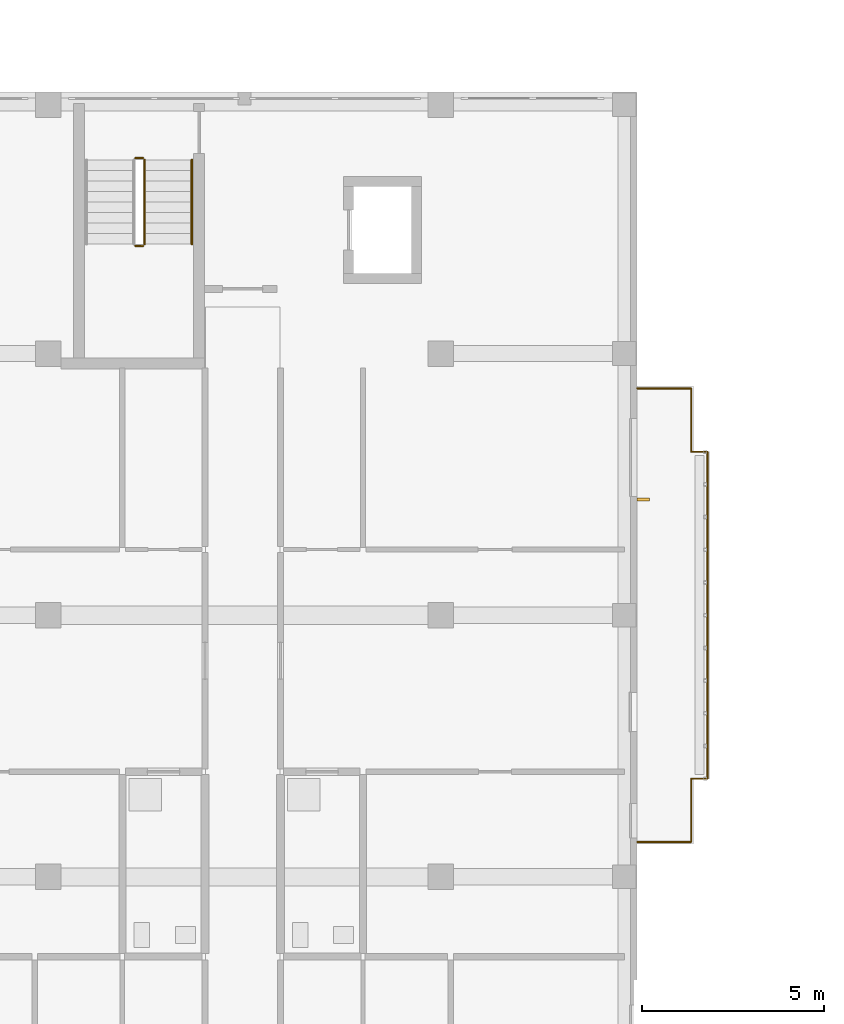
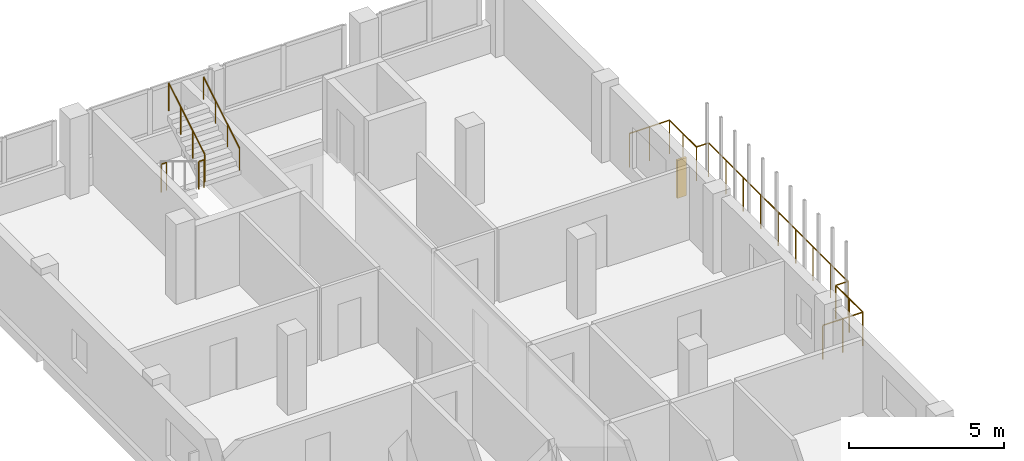
# One storey, part 41 of 51: 5 railings, 1 shading device.
"""IFC4 building model written with IfcOpenShell, lengths in metres."""

import ifcopenshell
import ifcopenshell.guid

model = None  # the IFC model being written
_history = None  # IfcOwnerHistory: only IFC2X3 demands one
_inside = {}  # id of a spatial element -> (the spatial element, [elements in it])
_under = {}  # id of a project, library or spatial element -> (it, [spatial elements below it])
_declared = {}  # id of a project -> (the project, [libraries it declares])
_typed = {}  # id of a type object -> (the type object, [elements of that type])
_made_of = {}  # id of a material, layer set ... -> (it, [elements and type objects made of it])


def new_model(schema):
    """Start an empty IFC model of exactly this schema.

    Asked for "IFC4X3", IfcOpenShell would pick the latest addendum, in which some entities
    have other attributes; the version numbers below select the first issue.
    IFC2X3 requires an IfcOwnerHistory on every rooted entity: one is made here for all.
    """
    global model, _history
    if schema == "IFC4X3":
        model = ifcopenshell.file(schema_version=(4, 3, 0, 0))
    else:
        model = ifcopenshell.file(schema=schema)
    _inside.clear()
    _under.clear()
    _declared.clear()
    _typed.clear()
    _made_of.clear()
    _history = None
    if model.schema == "IFC2X3":
        org = make("IfcOrganization", Name="unknown")
        user = make(
            "IfcPersonAndOrganization",
            ThePerson=make("IfcPerson", FamilyName="unknown"),
            TheOrganization=org,
        )
        app = make(
            "IfcApplication",
            ApplicationDeveloper=org,
            Version="unknown",
            ApplicationFullName="unknown",
            ApplicationIdentifier="unknown",
        )
        _history = make(
            "IfcOwnerHistory",
            OwningUser=user,
            OwningApplication=app,
            ChangeAction="ADDED",
            CreationDate=0,
        )
    return model


def make(cls, **values):
    """One entity of the class cls with the attributes given. An attribute that is None is left unset."""
    return model.create_entity(
        cls, **{name: value for name, value in values.items() if value is not None}
    )


def rooted(cls, **values):
    """An entity with a GlobalId (a new one), such as an element, a storey or a relation."""
    return make(cls, GlobalId=ifcopenshell.guid.new(), OwnerHistory=_history, **values)


def si_unit(unit_type, name, prefix=None):
    """IfcSIUnit, for example si_unit("LENGTHUNIT", "METRE", prefix="MILLI")."""
    return make("IfcSIUnit", UnitType=unit_type, Prefix=prefix, Name=name)


def derived_unit(unit_type, elements):
    """IfcDerivedUnit: a product of units, each with its exponent."""
    return make(
        "IfcDerivedUnit",
        Elements=[
            make("IfcDerivedUnitElement", Unit=unit, Exponent=power)
            for unit, power in elements
        ],
        UnitType=unit_type,
    )


def assignment(units):
    """IfcUnitAssignment: the units of a project."""
    return None if units is None else make("IfcUnitAssignment", Units=units)


def point(xyz):
    """IfcCartesianPoint."""
    return None if xyz is None else make("IfcCartesianPoint", Coordinates=xyz)


def direction(xyz):
    """IfcDirection."""
    return None if xyz is None else make("IfcDirection", DirectionRatios=xyz)


def frame(location, z_axis=None, x_axis=None):
    """IfcAxis2Placement3D, a coordinate frame: its origin and axes. An axis left out is left unset."""
    return make(
        "IfcAxis2Placement3D",
        Location=point(location),
        Axis=direction(z_axis),
        RefDirection=direction(x_axis),
    )


def frame_2d(location, x_axis=None):
    """IfcAxis2Placement2D, a coordinate frame in the plane: its origin and x axis."""
    return make(
        "IfcAxis2Placement2D", Location=point(location), RefDirection=direction(x_axis)
    )


def origin():
    """The frame at (0, 0, 0) with its axes left unset."""
    return frame((0.0, 0.0, 0.0))


def origin_2d():
    """The frame at (0, 0) in the plane with its x axis left unset."""
    return frame_2d((0.0, 0.0))


def place(relative_to, where):
    """IfcLocalPlacement: puts the frame where relative to a parent placement (None: the world)."""
    return make(
        "IfcLocalPlacement", PlacementRelTo=relative_to, RelativePlacement=where
    )


def context(
    kind, dimensions, precision=None, world=None, true_north=None, identifier=None
):
    """IfcGeometricRepresentationContext, for example the 3D "Model" context."""
    return make(
        "IfcGeometricRepresentationContext",
        ContextIdentifier=identifier,
        ContextType=kind,
        CoordinateSpaceDimension=dimensions,
        Precision=precision,
        WorldCoordinateSystem=world,
        TrueNorth=true_north,
    )


def subcontext(parent, identifier, kind, view, scale=None):
    """IfcGeometricRepresentationSubContext, for example "Body" below "Model"."""
    return make(
        "IfcGeometricRepresentationSubContext",
        ContextIdentifier=identifier,
        ContextType=kind,
        ParentContext=parent,
        TargetScale=scale,
        TargetView=view,
    )


def project(units=None, contexts=None):
    """IfcProject with its units and contexts."""
    return rooted(
        "IfcProject",
        Name="project",
        RepresentationContexts=contexts,
        UnitsInContext=assignment(units),
    )


def spatial(cls, under=None, at=None, **own):
    """A site, building, storey or space (cls), placed at a placement, below another one or the project."""
    s = rooted(cls, ObjectPlacement=at, **own)
    if under is not None:
        _under.setdefault(under.id(), (under, []))[1].append(s)
    return s


def profile(cls, at=None, kind="AREA", **sizes):
    """A parametric profile (cls). Its sizes go by their IFC names, for example OverallWidth=200.0."""
    return make(cls, ProfileType=kind, Position=at, **sizes)


def rectangle(**sizes):
    """IfcRectangleProfileDef."""
    return profile("IfcRectangleProfileDef", **sizes)


def circle(**sizes):
    """IfcCircleProfileDef."""
    return profile("IfcCircleProfileDef", **sizes)


def extrude(swept, where, along, depth):
    """IfcExtrudedAreaSolid: the profile swept, set in the frame where, extruded along a direction by depth."""
    return make(
        "IfcExtrudedAreaSolid",
        SweptArea=swept,
        Position=where,
        ExtrudedDirection=direction(along),
        Depth=depth,
    )


def shape(context_of_items, identifier, shape_type, items):
    """IfcShapeRepresentation: the items that make up one representation, for example the "Body"."""
    return make(
        "IfcShapeRepresentation",
        ContextOfItems=context_of_items,
        RepresentationIdentifier=identifier,
        RepresentationType=shape_type,
        Items=items,
    )


def material(Name=None, Category=None):
    """IfcMaterial."""
    return make("IfcMaterial", Name=Name, Category=Category)


def made_of(thing, what):
    """Note that an element or type object is made of a material, layer set ...; save() writes the relation."""
    if what is not None:
        _made_of.setdefault(what.id(), (what, []))[1].append(thing)
    return thing


def type_object(cls, material=None, **own):
    """A type object (cls), such as IfcWallType, which elements share."""
    return made_of(rooted(cls, **own), material)


def element(
    cls,
    number,
    at=None,
    inside=None,
    cuts=None,
    type_object=None,
    material=None,
    context=None,
    identifier="Body",
    shape_type=None,
    held_by="IfcProductDefinitionShape",
    body=None,
    shapes=None,
    **own,
):
    """One element of the class cls, such as IfcWall. Its Tag is "e" and its number.

    at: its placement. inside: the storey or other place that contains it. cuts: it is an
    opening in that element (IfcRelVoidsElement). A single representation is given by context,
    identifier, shape_type and body (its items); several are given by shapes. held_by: the class
    of the entity that holds the representations. save() writes the other relations.
    """
    e = rooted(cls, Tag="e%d" % number, ObjectPlacement=at, **own)
    if body is not None:
        shapes = [shape(context, identifier, shape_type, body)]
    if shapes is not None:
        e.Representation = make(held_by, Representations=shapes)
    if inside is not None:
        _inside.setdefault(inside.id(), (inside, []))[1].append(e)
    if cuts is not None:
        rooted(
            "IfcRelVoidsElement", RelatingBuildingElement=cuts, RelatedOpeningElement=e
        )
    if type_object is not None:
        _typed.setdefault(type_object.id(), (type_object, []))[1].append(e)
    return made_of(e, material)


def aggregate(whole, parts):
    """IfcRelAggregates: a whole, such as a stair, and the parts it consists of."""
    return rooted("IfcRelAggregates", RelatingObject=whole, RelatedObjects=parts)


def save(model, path):
    """Write the relations noted so far, then the file.

    IfcRelAggregates (storeys below a building ...), IfcRelContainedInSpatialStructure (elements
    in a storey), IfcRelDefinesByType, IfcRelAssociatesMaterial and IfcRelDeclares: one each for
    every whole, place, type object, material and project.
    """
    for whole, parts in _under.values():
        aggregate(whole, parts)
    for where, things in _inside.values():
        rooted(
            "IfcRelContainedInSpatialStructure",
            RelatedElements=things,
            RelatingStructure=where,
        )
    for kind, things in _typed.values():
        rooted("IfcRelDefinesByType", RelatedObjects=things, RelatingType=kind)
    for what, things in _made_of.values():
        rooted("IfcRelAssociatesMaterial", RelatedObjects=things, RelatingMaterial=what)
    for by, libraries in _declared.values():
        rooted("IfcRelDeclares", RelatingContext=by, RelatedDefinitions=libraries)
    model.write(path)


model = new_model("IFC4")

# Units and contexts
model_context = context("Model", 3, precision=1e-05, world=origin(), true_north=direction((0.0, 1.0)))
body_context = subcontext(model_context, "Body", "Model", "MODEL_VIEW")
ifc_project = project(units=[si_unit("LENGTHUNIT", "METRE"), si_unit("AREAUNIT", "SQUARE_METRE"), si_unit("VOLUMEUNIT", "CUBIC_METRE"), si_unit("PLANEANGLEUNIT", "RADIAN"), si_unit("MASSUNIT", "GRAM", prefix="KILO"), derived_unit("THERMALTRANSMITTANCEUNIT", [(si_unit("MASSUNIT", "GRAM", prefix="KILO"), 1), (si_unit("TIMEUNIT", "SECOND"), -3), (si_unit("THERMODYNAMICTEMPERATUREUNIT", "KELVIN"), -1)])], contexts=[model_context])

# Site, building, storey
site_placement = place(None, origin())
site = spatial("IfcSite", under=ifc_project, at=site_placement, CompositionType="ELEMENT")
building_placement = place(site_placement, origin())
building = spatial("IfcBuilding", under=site, at=building_placement, Name="Ochrekiln Boulevard Commons", CompositionType="ELEMENT")
storey_placement = place(building_placement, frame((0.0, 0.0, 15.22509765625)))
storey = spatial("IfcBuildingStorey", under=building, at=storey_placement, Name="L04", CompositionType="ELEMENT", Elevation=15.22509765625)

# Railings
ifc_material_1 = material(Name="Bronze-anodized extruded aluminium 6063-T6", Category="aluminium")
railing_type_1 = type_object("IfcRailingType", Name="RLG-BAL-1350", PredefinedType="BALUSTRADE", material=ifc_material_1)
railing_1_placement = place(storey_placement, frame((21.60009765625, 29.760009765625, 0.0)))
element("IfcRailing", 1, at=railing_1_placement, inside=storey, type_object=railing_type_1, Name="Block D L04 Balcony Guard Balustrade 2", PredefinedType="BALUSTRADE", context=body_context, shape_type="SweptSolid", body=[
    extrude(circle(Radius=0.02392578125, at=origin_2d()), frame((0.0, 0.0, 1.326171875), z_axis=(1.0, 0.0, 0.0), x_axis=(0.0, 1.0, 0.0)), (0.0, 0.0, 1.0), 1.489990234375),
    extrude(circle(Radius=0.02392578125, at=origin_2d()), frame((1.489990234375, 0.0, 1.326171875), z_axis=(0.0, 1.0, 0.0), x_axis=(-1.0, 0.0, 0.0)), (0.0, 0.0, 1.0), 1.739990234375),
    extrude(circle(Radius=0.02392578125, at=origin_2d()), frame((1.489990234375, 1.739990234375, 1.326171875), z_axis=(1.0, 0.0, 0.0), x_axis=(0.0, 1.0, 0.0)), (0.0, 0.0, 1.0), 0.449951171875),
    extrude(circle(Radius=0.02392578125, at=origin_2d()), frame((1.93994140625, 1.739990234375, 1.326171875), z_axis=(0.0, 1.0, 0.0), x_axis=(-1.0, 0.0, 0.0)), (0.0, 0.0, 1.0), 9.0),
    extrude(circle(Radius=0.02392578125, at=origin_2d()), frame((1.93994140625, 10.739990234375, 1.326171875), z_axis=(-1.0, 0.0, 0.0), x_axis=(0.0, -1.0, 0.0)), (0.0, 0.0, 1.0), 0.449951171875),
    extrude(circle(Radius=0.02392578125, at=origin_2d()), frame((1.489990234375, 10.739990234375, 1.326171875), z_axis=(0.0, 1.0, 0.0), x_axis=(-1.0, 0.0, 0.0)), (0.0, 0.0, 1.0), 1.739990234375),
    extrude(circle(Radius=0.02392578125, at=origin_2d()), frame((1.489990234375, 12.47998046875, 1.326171875), z_axis=(-1.0, 0.0, 0.0), x_axis=(0.0, -1.0, 0.0)), (0.0, 0.0, 1.0), 1.489990234375),
    extrude(circle(Radius=0.02099609375, at=origin_2d()), origin(), (0.0, 0.0, 1.0), 1.302001953125),
    extrude(circle(Radius=0.02099609375, at=origin_2d()), frame((0.7451171875, 0.0, 0.0)), (0.0, 0.0, 1.0), 1.302001953125),
    extrude(circle(Radius=0.02099609375, at=origin_2d()), frame((1.489990234375, 0.0, 0.0)), (0.0, 0.0, 1.0), 1.302001953125),
    extrude(circle(Radius=0.02099609375, at=origin_2d()), frame((1.489990234375, 0.8701171875, 0.0)), (0.0, 0.0, 1.0), 1.302001953125),
    extrude(circle(Radius=0.02099609375, at=origin_2d()), frame((1.489990234375, 1.739990234375, 0.0)), (0.0, 0.0, 1.0), 1.302001953125),
    extrude(circle(Radius=0.02099609375, at=origin_2d()), frame((1.93994140625, 1.739990234375, 0.0)), (0.0, 0.0, 1.0), 1.302001953125),
    extrude(circle(Radius=0.02099609375, at=origin_2d()), frame((1.93994140625, 2.864990234375, 0.0)), (0.0, 0.0, 1.0), 1.302001953125),
    extrude(circle(Radius=0.02099609375, at=origin_2d()), frame((1.93994140625, 3.989990234375, 0.0)), (0.0, 0.0, 1.0), 1.302001953125),
    extrude(circle(Radius=0.02099609375, at=origin_2d()), frame((1.93994140625, 5.114990234375, 0.0)), (0.0, 0.0, 1.0), 1.302001953125),
    extrude(circle(Radius=0.02099609375, at=origin_2d()), frame((1.93994140625, 6.239990234375, 0.0)), (0.0, 0.0, 1.0), 1.302001953125),
    extrude(circle(Radius=0.02099609375, at=origin_2d()), frame((1.93994140625, 7.364990234375, 0.0)), (0.0, 0.0, 1.0), 1.302001953125),
    extrude(circle(Radius=0.02099609375, at=origin_2d()), frame((1.93994140625, 8.489990234375, 0.0)), (0.0, 0.0, 1.0), 1.302001953125),
    extrude(circle(Radius=0.02099609375, at=origin_2d()), frame((1.93994140625, 9.614990234375, 0.0)), (0.0, 0.0, 1.0), 1.302001953125),
    extrude(circle(Radius=0.02099609375, at=origin_2d()), frame((1.93994140625, 10.739990234375, 0.0)), (0.0, 0.0, 1.0), 1.302001953125),
    extrude(circle(Radius=0.02099609375, at=origin_2d()), frame((1.489990234375, 10.739990234375, 0.0)), (0.0, 0.0, 1.0), 1.302001953125),
    extrude(circle(Radius=0.02099609375, at=origin_2d()), frame((1.489990234375, 11.60986328125, 0.0)), (0.0, 0.0, 1.0), 1.302001953125),
    extrude(circle(Radius=0.02099609375, at=origin_2d()), frame((1.489990234375, 12.47998046875, 0.0)), (0.0, 0.0, 1.0), 1.302001953125),
    extrude(circle(Radius=0.02099609375, at=origin_2d()), frame((0.7451171875, 12.47998046875, 0.0)), (0.0, 0.0, 1.0), 1.302001953125),
    extrude(circle(Radius=0.02099609375, at=origin_2d()), frame((0.0, 12.47998046875, 0.0)), (0.0, 0.0, 1.0), 1.302001953125),
])
ifc_material_2 = material(Name="Brushed stainless steel 316 tubular railing", Category="steel")
railing_type_2 = type_object("IfcRailingType", Name="RLG-HDR-900", PredefinedType="HANDRAIL", material=ifc_material_2)
railing_2_placement = place(storey_placement, frame((9.35009765625, 46.2099609375, 1.75)))
element("IfcRailing", 2, at=railing_2_placement, inside=storey, type_object=railing_type_2, Name="L04 ST-D2 stair handrail 2", PredefinedType="HANDRAIL", context=body_context, shape_type="SweptSolid", body=[
    extrude(circle(Radius=0.02392578125, at=origin_2d()), frame((0.0, 0.0, 0.8759765625), z_axis=(0.0, 0.85621033714, 0.516627388526), x_axis=(-1.0, 0.0, 0.0)), (0.0, 0.0, 1.0), 2.709716796875),
    extrude(circle(Radius=0.02099609375, at=origin_2d()), origin(), (0.0, 0.0, 1.0), 0.851806640625),
    extrude(circle(Radius=0.02099609375, at=origin_2d()), frame((0.0, 0.7734375, 0.466552734375)), (0.0, 0.0, 1.0), 0.851806640625),
    extrude(circle(Radius=0.02099609375, at=origin_2d()), frame((0.0, 1.546630859375, 0.933349609375)), (0.0, 0.0, 1.0), 0.851806640625),
    extrude(circle(Radius=0.02099609375, at=origin_2d()), frame((0.0, 2.320068359375, 1.39990234375)), (0.0, 0.0, 1.0), 0.851806640625),
])
railing_type_3 = type_object("IfcRailingType", Name="RLG-STR-1120", PredefinedType="BALUSTRADE", material=ifc_material_2)
railing_3_placement = place(storey_placement, frame((7.800048828125, 46.159912109375, 1.574951171875)))
element("IfcRailing", 3, at=railing_3_placement, inside=storey, type_object=railing_type_3, Name="L04 ST-D2 stair guard 2", PredefinedType="BALUSTRADE", context=body_context, shape_type="SweptSolid", body=[
    extrude(circle(Radius=0.02392578125, at=origin_2d()), frame((0.0, 0.0, 1.09619140625), z_axis=(1.0, 0.0, 0.0), x_axis=(0.0, 1.0, 0.0)), (0.0, 0.0, 1.0), 0.199951171875),
    extrude(circle(Radius=0.02099609375, at=origin_2d()), origin(), (0.0, 0.0, 1.0), 1.072021484375),
    extrude(circle(Radius=0.02099609375, at=origin_2d()), frame((0.199951171875, 0.0, 0.0)), (0.0, 0.0, 1.0), 1.072021484375),
])
railing_4_placement = place(storey_placement, frame((8.050048828125, 46.2099609375, 1.75)))
element("IfcRailing", 4, at=railing_4_placement, inside=storey, type_object=railing_type_3, Name="L04 ST-D2 stair guard 3", PredefinedType="BALUSTRADE", context=body_context, shape_type="SweptSolid", body=[
    extrude(circle(Radius=0.02392578125, at=origin_2d()), frame((0.0, 0.0, 1.09619140625), z_axis=(0.0, 0.85621033714, 0.516627388526), x_axis=(-1.0, 0.0, 0.0)), (0.0, 0.0, 1.0), 2.709716796875),
    extrude(circle(Radius=0.02099609375, at=origin_2d()), origin(), (0.0, 0.0, 1.0), 1.072021484375),
    extrude(circle(Radius=0.02099609375, at=origin_2d()), frame((0.0, 0.7734375, 0.466552734375)), (0.0, 0.0, 1.0), 1.072021484375),
    extrude(circle(Radius=0.02099609375, at=origin_2d()), frame((0.0, 1.546630859375, 0.933349609375)), (0.0, 0.0, 1.0), 1.072021484375),
    extrude(circle(Radius=0.02099609375, at=origin_2d()), frame((0.0, 2.320068359375, 1.39990234375)), (0.0, 0.0, 1.0), 1.072021484375),
])
railing_5_placement = place(storey_placement, frame((7.800048828125, 48.580078125, 0.0)))
element("IfcRailing", 5, at=railing_5_placement, inside=storey, type_object=railing_type_3, Name="L04 ST-D2 stair guard 4", PredefinedType="BALUSTRADE", context=body_context, shape_type="SweptSolid", body=[
    extrude(circle(Radius=0.02392578125, at=origin_2d()), frame((0.0, 0.0, 1.09619140625), z_axis=(1.0, 0.0, 0.0), x_axis=(0.0, 1.0, 0.0)), (0.0, 0.0, 1.0), 0.199951171875),
    extrude(circle(Radius=0.02099609375, at=origin_2d()), origin(), (0.0, 0.0, 1.0), 1.072021484375),
    extrude(circle(Radius=0.02099609375, at=origin_2d()), frame((0.199951171875, 0.0, 0.0)), (0.0, 0.0, 1.0), 1.072021484375),
])

# Shading device
ifc_material_3 = material(Name="Glazed architectural terracotta ASTM C1405", Category="masonry")
shading_device_type = type_object("IfcShadingDeviceType", Name="SHD-FIN-TERRA", PredefinedType="JALOUSIE", material=ifc_material_3)
shading_device_placement = place(storey_placement, frame((21.77001953125, 39.18896484375, 0.6298828125), z_axis=(0.0, 0.0, 1.0), x_axis=(1.0, 0.0, 0.0)))
element("IfcShadingDevice", 6, at=shading_device_placement, inside=storey, type_object=shading_device_type, Name="Terracotta Solar Shading Fin SF-01 (79)", PredefinedType="JALOUSIE", context=body_context, shape_type="SweptSolid", body=[
    extrude(rectangle(XDim=0.35009765625, YDim=0.080078125, at=origin_2d()), origin(), (0.0, 0.0, 1.0), 1.5),
])

save(model, "model.ifc")
